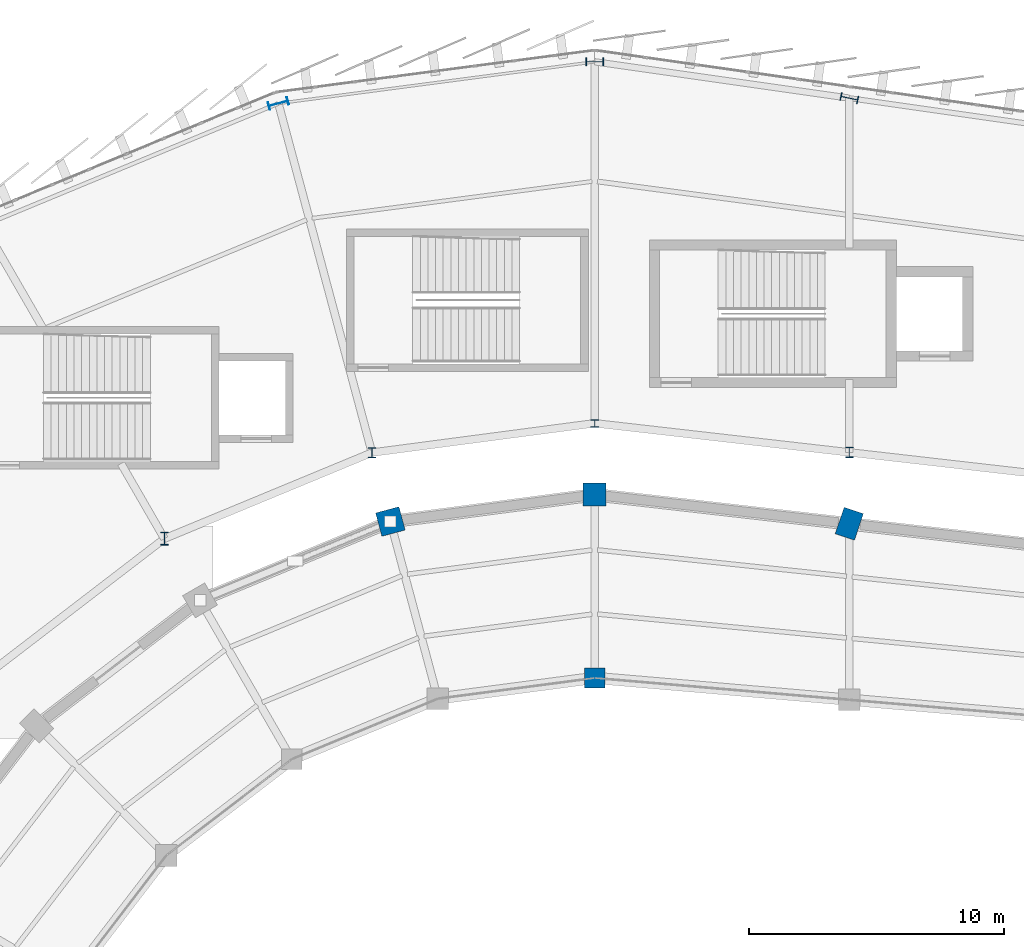
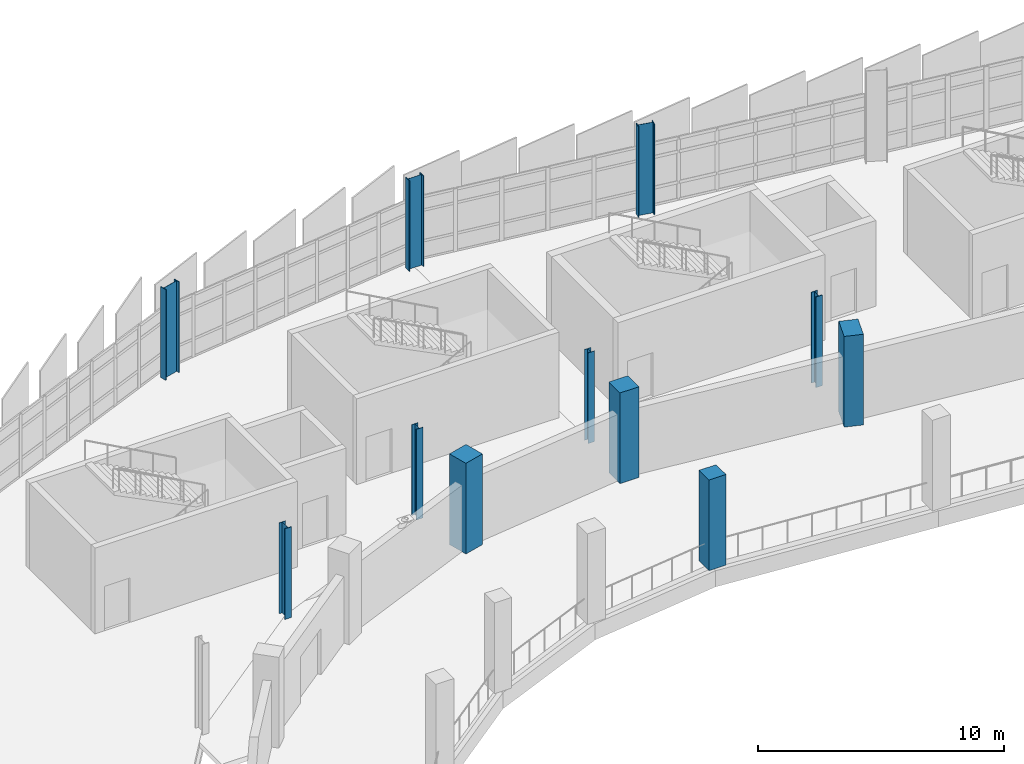
# One storey, part 16 of 125: 11 columns.
"""IFC4 building model written with IfcOpenShell, lengths in metres."""

from ifc_helpers import new_model, si_unit, direction, frame, origin, origin_2d, place, context, subcontext, project, spatial, rectangle, i_section, extrude, material, material_profile, profile_set, type_object, element, save


model = new_model("IFC4")

# Units and contexts
model_context = context("Model", 3, precision=1e-05, world=origin(), true_north=direction((0.0, 1.0)))
body_context = subcontext(model_context, "Body", "Model", "MODEL_VIEW")
ifc_project = project(units=[si_unit("LENGTHUNIT", "METRE"), si_unit("AREAUNIT", "SQUARE_METRE"), si_unit("VOLUMEUNIT", "CUBIC_METRE"), si_unit("PLANEANGLEUNIT", "RADIAN"), si_unit("MASSUNIT", "GRAM", prefix="KILO")], contexts=[model_context])

# Site, building, storey
site_placement = place(None, origin())
site = spatial("IfcSite", under=ifc_project, at=site_placement, CompositionType="ELEMENT")
building_placement = place(site_placement, origin())
building = spatial("IfcBuilding", under=site, at=building_placement, Name="Sohan Crest Arena", CompositionType="ELEMENT")
storey_placement = place(building_placement, frame((0.0, 0.0, 9.0)))
storey = spatial("IfcBuildingStorey", under=building, at=storey_placement, Name="L02", CompositionType="ELEMENT", Elevation=9.0)

# Columns
ifc_material_1 = material(Name="Concrete C40/50", Category="concrete")
ifc_material_profile_1 = material_profile(ifc_material_1, rectangle(XDim=0.800048828125, YDim=0.800048828125, at=origin_2d()), Name="RC 800x800")
ifc_profile_set_1 = profile_set([ifc_material_profile_1], Name="Concrete C40/50")
column_type_1 = type_object("IfcColumnType", Name="STR-COL-C05", PredefinedType="COLUMN", material=ifc_profile_set_1)
column_1_placement = place(storey_placement, frame((98.0, 101.800048828125, 0.0), z_axis=(0.0, 0.0, 1.0), x_axis=(1.0, 0.0, 0.0)))
element("IfcColumn", 1, at=column_1_placement, inside=storey, type_object=column_type_1, Name="Structural column COL-V1M-01-L02", PredefinedType="COLUMN", context=body_context, shape_type="SweptSolid", body=[
    extrude(rectangle(XDim=0.800048828125, YDim=0.800048828125, at=origin_2d()), origin(), (0.0, 0.0, 1.0), 4.5),
])
ifc_material_profile_2 = material_profile(ifc_material_1, rectangle(XDim=0.89990234375, YDim=0.89990234375, at=origin_2d()), Name="RC 900x900")
ifc_profile_set_2 = profile_set([ifc_material_profile_2], Name="Concrete C40/50")
column_type_2 = type_object("IfcColumnType", Name="STR-COL-C07", PredefinedType="COLUMN", material=ifc_profile_set_2)
column_2_placement = place(storey_placement, frame((98.0, 109.0, 0.0), z_axis=(0.0, 0.0, 1.0), x_axis=(0.0, 1.0, 0.0)))
element("IfcColumn", 2, at=column_2_placement, inside=storey, type_object=column_type_2, Name="Structural column COL-V1R-01-L02", PredefinedType="COLUMN", context=body_context, shape_type="SweptSolid", body=[
    extrude(rectangle(XDim=0.89990234375, YDim=0.89990234375, at=origin_2d()), origin(), (0.0, 0.0, 1.0), 4.5),
])
ifc_material_profile_3 = material_profile(ifc_material_1, rectangle(XDim=0.949951171875, YDim=0.949951171875, at=origin_2d()), Name="RC 950x950")
ifc_profile_set_3 = profile_set([ifc_material_profile_3], Name="Concrete C40/50")
column_type_3 = type_object("IfcColumnType", Name="STR-COL-C08", PredefinedType="COLUMN", material=ifc_profile_set_3)
column_3_placement = place(storey_placement, frame((89.97705078125, 107.944091796875, 0.0), z_axis=(0.0, 0.0, 1.0), x_axis=(-0.258819045103, 0.965925826289, 0.0)))
element("IfcColumn", 3, at=column_3_placement, inside=storey, type_object=column_type_3, Name="Structural column COL-V1R-02-L02", PredefinedType="COLUMN", context=body_context, shape_type="SweptSolid", body=[
    extrude(rectangle(XDim=0.949951171875, YDim=0.949951171875, at=origin_2d()), origin(), (0.0, 0.0, 1.0), 4.5),
])
ifc_material_profile_4 = material_profile(ifc_material_1, rectangle(XDim=1.10009765625, YDim=0.800048828125, at=origin_2d()), Name="RC 1100x800")
ifc_profile_set_4 = profile_set([ifc_material_profile_4], Name="Concrete C40/50")
column_type_4 = type_object("IfcColumnType", Name="STR-COL-C10", PredefinedType="COLUMN", material=ifc_profile_set_4)
column_4_placement = place(storey_placement, frame((108.0, 107.85693359375, 0.0), z_axis=(0.0, 0.0, 1.0), x_axis=(0.317304656405, 0.948323655206, 0.0)))
element("IfcColumn", 4, at=column_4_placement, inside=storey, type_object=column_type_4, Name="Structural column COL-V1R-34-L02", PredefinedType="COLUMN", context=body_context, shape_type="SweptSolid", body=[
    extrude(rectangle(XDim=1.10009765625, YDim=0.800048828125, at=origin_2d()), origin(), (0.0, 0.0, 1.0), 4.5),
])
ifc_material_2 = material(Name="Steel S355", Category="steel")
ifc_material_profile_5 = material_profile(ifc_material_2, i_section(OverallWidth=0.300048828125, OverallDepth=0.300048828125, WebThickness=0.010986328125, FlangeThickness=0.01904296875, at=origin_2d()), Name="HEB 300")
ifc_profile_set_5 = profile_set([ifc_material_profile_5], Name="Steel S355")
column_type_5 = type_object("IfcColumnType", Name="STR-COL-C17", PredefinedType="COLUMN", material=ifc_profile_set_5)
column_5_placement = place(storey_placement, frame((98.0, 111.800048828125, 0.0), z_axis=(0.0, 0.0, 1.0), x_axis=(1.0, 0.0, 0.0)))
element("IfcColumn", 5, at=column_5_placement, inside=storey, type_object=column_type_5, Name="Structural column COL-V2I-01-L02", PredefinedType="COLUMN", context=body_context, shape_type="SweptSolid", body=[
    extrude(i_section(OverallWidth=0.300048828125, OverallDepth=0.300048828125, WebThickness=0.010986328125, FlangeThickness=0.01904296875, at=origin_2d()), origin(), (0.0, 0.0, 1.0), 4.5),
])
ifc_material_profile_6 = material_profile(ifc_material_2, i_section(OverallWidth=0.300048828125, OverallDepth=0.39990234375, WebThickness=0.013427734375, FlangeThickness=0.02392578125, at=origin_2d()), Name="HEB 400")
ifc_profile_set_6 = profile_set([ifc_material_profile_6], Name="Steel S355")
column_type_6 = type_object("IfcColumnType", Name="STR-COL-C18", PredefinedType="COLUMN", material=ifc_profile_set_6)
for number, where, z_axis, x_axis, name in (
    (6, (89.251953125, 110.64794921875, 0.0), (0.0, 0.0, 1.0), (1.0, 0.0, 0.0), "Structural column COL-V2I-02-L02"),
    (7, (108.0, 110.656982421875, 0.0), (0.0, 0.0, 1.0), (1.0, 0.0, 0.0), "Structural column COL-V2I-34-L02"),
):
    element("IfcColumn", number, at=place(storey_placement, frame(where, z_axis=z_axis, x_axis=x_axis)), inside=storey, type_object=column_type_6, Name=name, PredefinedType="COLUMN", context=body_context, shape_type="SweptSolid", body=[
        extrude(i_section(OverallWidth=0.300048828125, OverallDepth=0.39990234375, WebThickness=0.013427734375, FlangeThickness=0.02392578125, at=origin_2d()), origin(), (0.0, 0.0, 1.0), 4.5),
    ])
ifc_material_profile_7 = material_profile(ifc_material_2, i_section(OverallWidth=0.300048828125, OverallDepth=0.5, WebThickness=0.014404296875, FlangeThickness=0.028076171875, at=origin_2d()), Name="HEB 500")
ifc_profile_set_7 = profile_set([ifc_material_profile_7], Name="Steel S355")
column_type_7 = type_object("IfcColumnType", Name="STR-COL-C19", PredefinedType="COLUMN", material=ifc_profile_set_7)
column_6_placement = place(storey_placement, frame((81.10009765625, 107.27197265625, 0.0), z_axis=(0.0, 0.0, 1.0), x_axis=(1.0, 0.0, 0.0)))
element("IfcColumn", 8, at=column_6_placement, inside=storey, type_object=column_type_7, Name="Structural column COL-V2I-03-L02", PredefinedType="COLUMN", context=body_context, shape_type="SweptSolid", body=[
    extrude(i_section(OverallWidth=0.300048828125, OverallDepth=0.5, WebThickness=0.014404296875, FlangeThickness=0.028076171875, at=origin_2d()), origin(), (0.0, 0.0, 1.0), 4.5),
])
ifc_material_profile_8 = material_profile(ifc_material_2, i_section(OverallWidth=0.300048828125, OverallDepth=0.699951171875, WebThickness=0.01708984375, FlangeThickness=0.031982421875, at=origin_2d()), Name="HEB 700")
ifc_profile_set_8 = profile_set([ifc_material_profile_8], Name="Steel S355")
column_type_8 = type_object("IfcColumnType", Name="STR-COL-C21", PredefinedType="COLUMN", material=ifc_profile_set_8)
for number, where, z_axis, x_axis, name in (
    (9, (98.0, 126.0, 0.0), (0.0, 0.0, 1.0), (0.0, 1.0, 0.0), "Structural column COL-V2O-01-L02"),
    (10, (108.0, 124.571044921875, 0.0), (0.0, 0.0, 1.0), (0.209618562904, 0.977783236759, 0.0), "Structural column COL-V2O-34-L02"),
):
    element("IfcColumn", number, at=place(storey_placement, frame(where, z_axis=z_axis, x_axis=x_axis)), inside=storey, type_object=column_type_8, Name=name, PredefinedType="COLUMN", context=body_context, shape_type="SweptSolid", body=[
        extrude(i_section(OverallWidth=0.300048828125, OverallDepth=0.699951171875, WebThickness=0.01708984375, FlangeThickness=0.031982421875, at=origin_2d()), origin(), (0.0, 0.0, 1.0), 4.5),
    ])
ifc_material_profile_9 = material_profile(ifc_material_2, i_section(OverallWidth=0.300048828125, OverallDepth=0.800048828125, WebThickness=0.017578125, FlangeThickness=0.032958984375, at=origin_2d()), Name="HEB 800")
ifc_profile_set_9 = profile_set([ifc_material_profile_9], Name="Steel S355")
column_type_9 = type_object("IfcColumnType", Name="STR-COL-C22", PredefinedType="COLUMN", material=ifc_profile_set_9)
column_7_placement = place(storey_placement, frame((85.576904296875, 124.364013671875, 0.0), z_axis=(0.0, 0.0, 1.0), x_axis=(-0.258819045103, 0.965925826289, 0.0)))
element("IfcColumn", 11, at=column_7_placement, inside=storey, type_object=column_type_9, Name="Structural column COL-V2O-02-L02", PredefinedType="COLUMN", context=body_context, shape_type="SweptSolid", body=[
    extrude(i_section(OverallWidth=0.300048828125, OverallDepth=0.800048828125, WebThickness=0.017578125, FlangeThickness=0.032958984375, at=origin_2d()), origin(), (0.0, 0.0, 1.0), 4.5),
])

save(model, "model.ifc")
